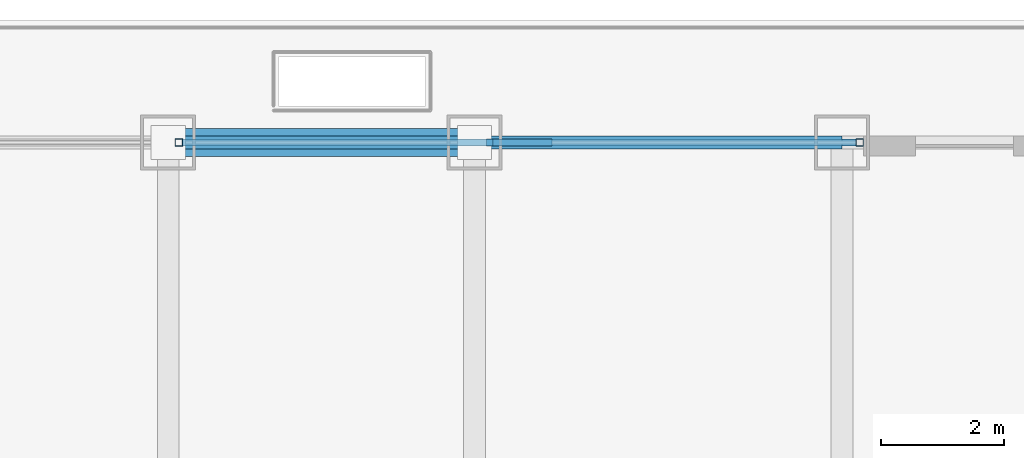
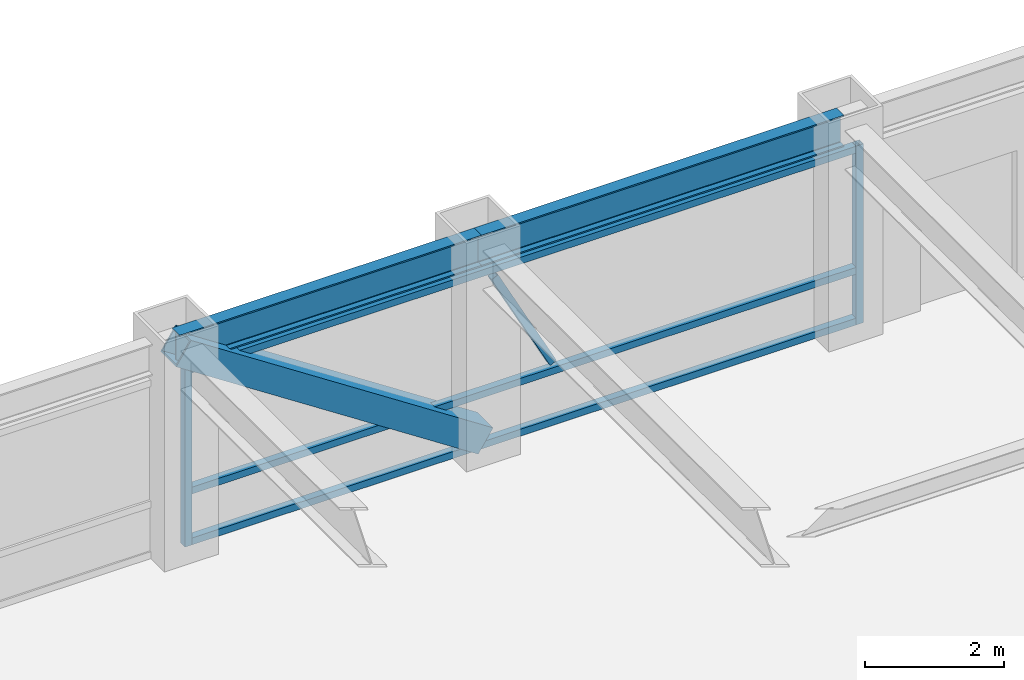
# One storey, part 19 of 32: 7 members, 2 beams, 1 element without a shape of its own.
"""IFC4 building model written with IfcOpenShell, lengths in metres."""

from ifc_helpers import new_model, si_unit, direction, frame, origin, origin_2d, place, context, subcontext, project, spatial, hollow_rectangle, i_section, extrude, source, transform, mapped, material, material_profile, profile_set, type_object, element, aggregate, save


model = new_model("IFC4")

# Units and contexts
model_context = context("Model", 3, precision=1e-05, world=origin(), true_north=direction((0.0, 1.0)))
body_context = subcontext(model_context, "Body", "Model", "MODEL_VIEW")
ifc_project = project(units=[si_unit("LENGTHUNIT", "METRE"), si_unit("AREAUNIT", "SQUARE_METRE"), si_unit("VOLUMEUNIT", "CUBIC_METRE"), si_unit("PLANEANGLEUNIT", "RADIAN"), si_unit("MASSUNIT", "GRAM", prefix="KILO")], contexts=[model_context])

# Site, building, storey
site_placement = place(None, origin())
site = spatial("IfcSite", under=ifc_project, at=site_placement, CompositionType="ELEMENT")
building_placement = place(site_placement, origin())
building = spatial("IfcBuilding", under=site, at=building_placement, Name="Khorayat Bourse Tower", CompositionType="ELEMENT")
storey_placement = place(building_placement, frame((0.0, 0.0, 273.5)))
storey = spatial("IfcBuildingStorey", under=building, at=storey_placement, Name="L64", CompositionType="ELEMENT", Elevation=273.5)

# Member
ifc_material_1 = material(Name="Steel EN 10025-4 S460M", Category="steel")
ifc_material_profile_1 = material_profile(ifc_material_1, hollow_rectangle(XDim=0.449951171875, YDim=0.449951171875, WallThickness=0.02490234375, at=origin_2d()), Name="HSS 450x450x25")
ifc_profile_set_1 = profile_set([ifc_material_profile_1], Name="Steel EN 10025-4 S460M")
member_type_1 = type_object("IfcMemberType", Name="MBR-TUBE-450", PredefinedType="BRACE", material=ifc_profile_set_1)
shared_shape_1 = source(origin(), body_context, "Body", "SweptSolid", [
    extrude(hollow_rectangle(XDim=0.449951171875, YDim=0.449951171875, WallThickness=0.02490234375, at=origin_2d()), origin(), (0.0, 0.0, 1.0), 5.979736328125),
])
member_1_placement = place(storey_placement, frame((-11.0, 28.0, 3.530029296875), z_axis=(0.836141536525, 0.0, -0.548513747227), x_axis=(0.0, 1.0, 0.0)))
element("IfcMember", 1, at=member_1_placement, inside=storey, type_object=member_type_1, Name="L64 Perimeter Tube Brace 03", PredefinedType="BRACE", context=body_context, shape_type="MappedRepresentation", body=[
    mapped(shared_shape_1, transform((0.0, 0.0, 0.0), scale=1.0)),
])

# Beams
ifc_material_2 = material(Name="Steel ASTM A992 Grade 50", Category="steel")
ifc_material_profile_2 = material_profile(ifc_material_2, i_section(OverallWidth=0.214111328125, OverallDepth=0.549072265625, WebThickness=0.0146484375, FlangeThickness=0.023681640625, FilletRadius=0.013916015625, at=origin_2d()), Name="W530X138")
ifc_profile_set_2 = profile_set([ifc_material_profile_2], Name="Steel ASTM A992 Grade 50")
beam_type = type_object("IfcBeamType", Name="BM-SPAN-530", PredefinedType="SPANDREL", material=ifc_profile_set_2)
shared_shape_2 = source(origin(), body_context, "Body", "SweptSolid", [
    extrude(i_section(OverallWidth=0.214111328125, OverallDepth=0.549072265625, WebThickness=0.0146484375, FlangeThickness=0.023681640625, FilletRadius=0.013916015625, at=origin_2d()), origin(), (0.0, 0.0, 1.0), 5.0),
])
beam_1_placement = place(storey_placement, frame((-11.0, 28.0, 3.505615234375), z_axis=(1.0, 0.0, 0.0), x_axis=(0.0, 1.0, 0.0)))
element("IfcBeam", 2, at=beam_1_placement, inside=storey, type_object=beam_type, Name="L64 BM-SPAN-530 BM-L64-SPN-049", PredefinedType="SPANDREL", context=body_context, shape_type="MappedRepresentation", body=[
    mapped(shared_shape_2, transform((0.0, 0.0, 0.0), scale=1.0)),
])
shared_shape_3 = source(origin(), body_context, "Body", "SweptSolid", [
    extrude(i_section(OverallWidth=0.214111328125, OverallDepth=0.549072265625, WebThickness=0.0146484375, FlangeThickness=0.023681640625, FilletRadius=0.013916015625, at=origin_2d()), origin(), (0.0, 0.0, 1.0), 6.0),
])
beam_2_placement = place(storey_placement, frame((-6.0, 28.0, 3.505615234375), z_axis=(1.0, 0.0, 0.0), x_axis=(0.0, 1.0, 0.0)))
element("IfcBeam", 3, at=beam_2_placement, inside=storey, type_object=beam_type, Name="L64 BM-SPAN-530 BM-L64-SPN-048", PredefinedType="SPANDREL", context=body_context, shape_type="MappedRepresentation", body=[
    mapped(shared_shape_3, transform((0.0, 0.0, 0.0), scale=1.0)),
])

# Curtain wall, members
ifc_material_3 = material(Name="Aluminium EN AW-6063 T6", Category="aluminium")
curtain_wall_type = type_object("IfcCurtainWallType", Name="CW-SYS-04", PredefinedType="NOTDEFINED", material=ifc_material_3)
curtain_wall_placement = place(storey_placement, origin())
curtain_wall = element("IfcCurtainWall", 4, at=curtain_wall_placement, inside=storey, type_object=curtain_wall_type, Name="L64 Curtain Wall CW-L64-N1", PredefinedType="NOTDEFINED")
ifc_material_profile_3 = material_profile(ifc_material_3, hollow_rectangle(XDim=0.1201171875, YDim=0.1201171875, WallThickness=0.0048828125, at=origin_2d()), Name="ALU 120x120x5")
ifc_profile_set_3 = profile_set([ifc_material_profile_3], Name="Aluminium EN AW-6063 T6")
member_type_2 = type_object("IfcMemberType", Name="CWM-VERT-120", PredefinedType="MULLION", material=ifc_profile_set_3)
shared_shape_4 = source(origin(), body_context, "Body", "SweptSolid", [
    extrude(hollow_rectangle(XDim=0.1201171875, YDim=0.1201171875, WallThickness=0.0048828125, at=origin_2d()), origin(), (0.0, 0.0, 1.0), 3.1298828125),
])
member_2_placement = place(storey_placement, frame((-10.824951171875, 28.0, 0.0), z_axis=(0.0, 0.0, 1.0), x_axis=(0.0, 1.0, 0.0)))
member_2 = element("IfcMember", 5, at=member_2_placement, type_object=member_type_2, Name="CW-L64-N1 Vertical Mullion 2", PredefinedType="MULLION", context=body_context, shape_type="MappedRepresentation", body=[
    mapped(shared_shape_4, transform((0.0, 0.0, 0.0), scale=1.0)),
])
member_3_placement = place(storey_placement, frame((0.2900390625, 28.0, 0.0), z_axis=(0.0, 0.0, 1.0), x_axis=(0.0, 1.0, 0.0)))
member_3 = element("IfcMember", 6, at=member_3_placement, type_object=member_type_2, Name="CW-L64-N1 Vertical Mullion 3", PredefinedType="MULLION", context=body_context, shape_type="MappedRepresentation", body=[
    mapped(shared_shape_4, transform((0.0, 0.0, 0.0), scale=1.0)),
])
ifc_material_profile_4 = material_profile(ifc_material_3, hollow_rectangle(XDim=0.1201171875, YDim=0.1201171875, WallThickness=0.0048828125, at=origin_2d()), Name="ALU 120x120x5")
ifc_profile_set_4 = profile_set([ifc_material_profile_4], Name="Aluminium EN AW-6063 T6")
member_type_3 = type_object("IfcMemberType", Name="CWT-HORZ-120", PredefinedType="USERDEFINED", material=ifc_profile_set_4)
shared_shape_5 = source(origin(), body_context, "Body", "SweptSolid", [
    extrude(hollow_rectangle(XDim=0.1201171875, YDim=0.1201171875, WallThickness=0.0048828125, at=origin_2d()), origin(), (0.0, 0.0, 1.0), 10.994873046875),
])
member_4_placement = place(storey_placement, frame((-10.764892578125, 28.0, 0.06005859375), z_axis=(1.0, 0.0, 0.0), x_axis=(0.0, 1.0, 0.0)))
member_4 = element("IfcMember", 7, at=member_4_placement, type_object=member_type_3, Name="CW-L64-N1 Horizontal Transom 2-1", ObjectType="TRANSOM", PredefinedType="USERDEFINED", context=body_context, shape_type="MappedRepresentation", body=[
    mapped(shared_shape_5, transform((0.0, 0.0, 0.0), scale=1.0)),
])
member_5_placement = place(storey_placement, frame((-10.764892578125, 28.0, 0.949951171875), z_axis=(1.0, 0.0, 0.0), x_axis=(0.0, 1.0, 0.0)))
member_5 = element("IfcMember", 8, at=member_5_placement, type_object=member_type_3, Name="CW-L64-N1 Horizontal Transom 2-2", ObjectType="TRANSOM", PredefinedType="USERDEFINED", context=body_context, shape_type="MappedRepresentation", body=[
    mapped(shared_shape_5, transform((0.0, 0.0, 0.0), scale=1.0)),
])
member_6_placement = place(storey_placement, frame((-10.764892578125, 28.0, 3.070068359375), z_axis=(1.0, 0.0, 0.0), x_axis=(0.0, 1.0, 0.0)))
member_6 = element("IfcMember", 9, at=member_6_placement, type_object=member_type_3, Name="CW-L64-N1 Horizontal Transom 2-3", ObjectType="TRANSOM", PredefinedType="USERDEFINED", context=body_context, shape_type="MappedRepresentation", body=[
    mapped(shared_shape_5, transform((0.0, 0.0, 0.0), scale=1.0)),
])
ifc_material_profile_5 = material_profile(ifc_material_3, hollow_rectangle(XDim=0.1201171875, YDim=0.1201171875, WallThickness=0.0048828125, at=origin_2d()), Name="ALU 120x120x5")
ifc_profile_set_5 = profile_set([ifc_material_profile_5], Name="Aluminium EN AW-6063 T6")
member_type_4 = type_object("IfcMemberType", Name="CWM-DIAG-120", PredefinedType="MULLION", material=ifc_profile_set_5)
shared_shape_6 = source(origin(), body_context, "Body", "SweptSolid", [
    extrude(hollow_rectangle(XDim=0.1201171875, YDim=0.1201171875, WallThickness=0.0048828125, at=origin_2d()), origin(), (0.0, 0.0, 1.0), 2.0791015625),
])
member_7_placement = place(storey_placement, frame((-4.783203125, 28.0, 1.090087890625), z_axis=(-0.465809344892, 0.0, 0.884885107916), x_axis=(0.0, -1.0, 0.0)))
member_7 = element("IfcMember", 10, at=member_7_placement, type_object=member_type_4, Name="CW-L64-N1 Faceted Diagonal Mullion 2", PredefinedType="MULLION", context=body_context, shape_type="MappedRepresentation", body=[
    mapped(shared_shape_6, transform((0.0, 0.0, 0.0), scale=1.0)),
])
aggregate(curtain_wall, [member_2, member_3, member_4, member_5, member_6, member_7])

save(model, "model.ifc")
